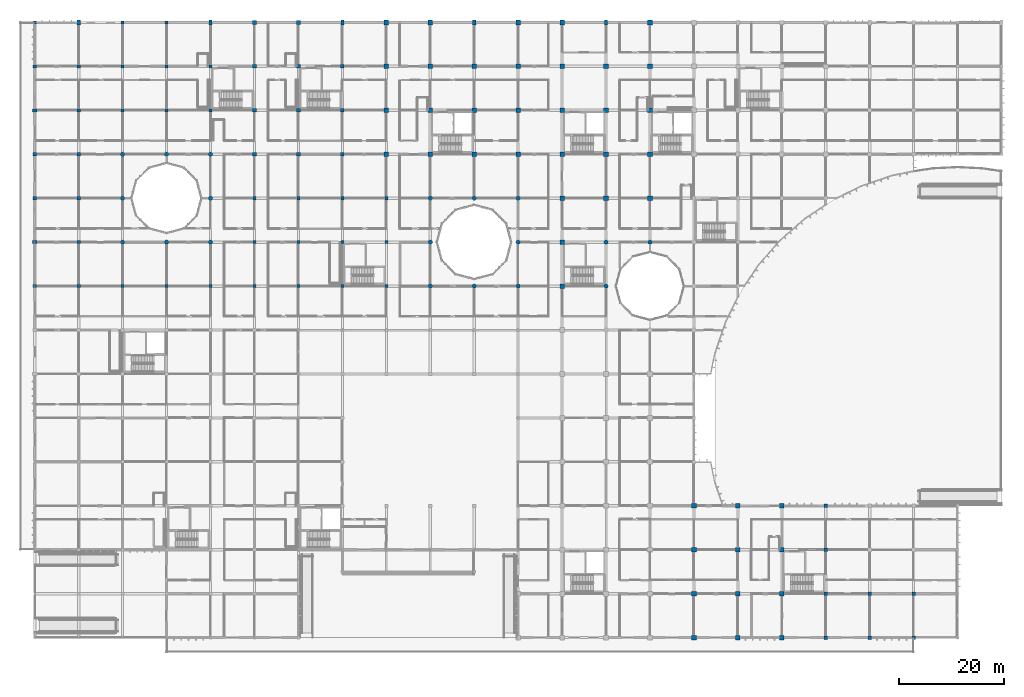
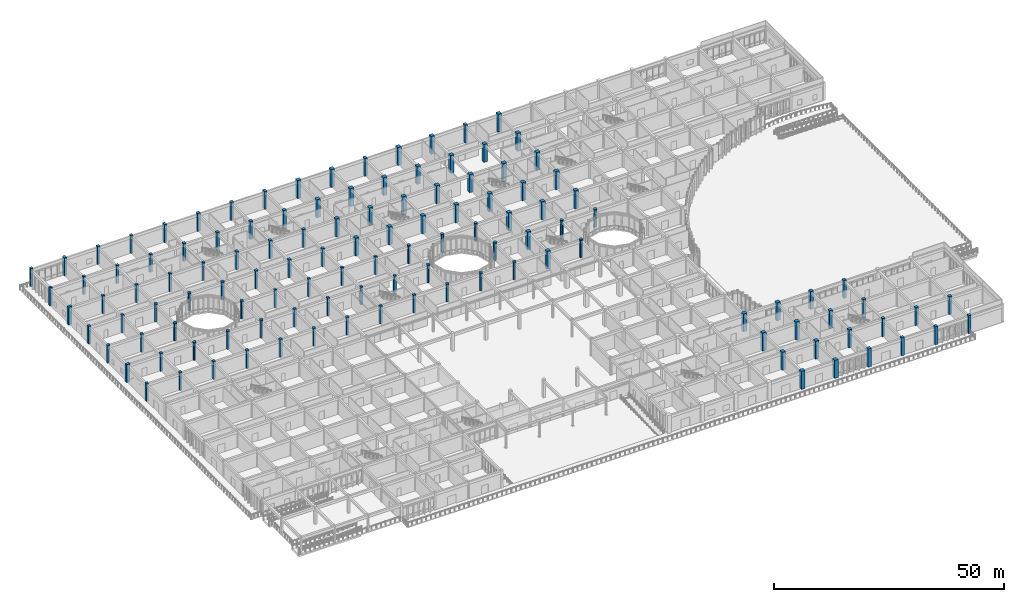
# One storey, part 8 of 138: 122 columns.
"""IFC4 building model written with IfcOpenShell, lengths in metres."""

from ifc_helpers import new_model, si_unit, direction, frame, origin, origin_2d, place, context, subcontext, project, spatial, rectangle, circle, extrude, material, material_profile, profile_set, type_object, element, save


model = new_model("IFC4")

# Units and contexts
model_context = context("Model", 3, precision=1e-05, world=origin(), true_north=direction((0.0, 1.0)))
body_context = subcontext(model_context, "Body", "Model", "MODEL_VIEW")
ifc_project = project(units=[si_unit("LENGTHUNIT", "METRE"), si_unit("AREAUNIT", "SQUARE_METRE"), si_unit("VOLUMEUNIT", "CUBIC_METRE"), si_unit("PLANEANGLEUNIT", "RADIAN"), si_unit("MASSUNIT", "GRAM", prefix="KILO")], contexts=[model_context])

# Site, building, storey
site_placement = place(None, origin())
site = spatial("IfcSite", under=ifc_project, at=site_placement, CompositionType="ELEMENT")
building_placement = place(site_placement, origin())
building = spatial("IfcBuilding", under=site, at=building_placement, Name="Bramfleet General Hospital", CompositionType="ELEMENT")
storey_placement = place(building_placement, origin())
storey = spatial("IfcBuildingStorey", under=building, at=storey_placement, Name="L00", CompositionType="ELEMENT", Elevation=0.0)

# Columns
ifc_material = material(Name="Concrete C40/50", Category="concrete")
ifc_material_profile_1 = material_profile(ifc_material, rectangle(XDim=0.60009765625, YDim=0.89990234375, at=origin_2d()), Name="RC PIL 900x600")
ifc_profile_set_1 = profile_set([ifc_material_profile_1], Name="Concrete C40/50")
column_type_1 = type_object("IfcColumnType", Name="COL-PIL900", PredefinedType="PILASTER", material=ifc_profile_set_1)
for number, where, z_axis, x_axis, name in (
    (1, (0.0, 75.60009765625, 0.0), (0.0, 0.0, 1.0), (0.0, 1.0, 0.0), "Column COL-L00-00-09"),
    (2, (0.0, 100.800048828125, 0.0), (0.0, 0.0, 1.0), (0.0, 1.0, 0.0), "Column COL-L00-00-12"),
    (3, (8.39990234375, 117.60009765625, 0.0), (0.0, 0.0, 1.0), (1.0, 0.0, 0.0), "Column COL-L00-01-14"),
    (4, (33.60009765625, 117.60009765625, 0.0), (0.0, 0.0, 1.0), (1.0, 0.0, 0.0), "Column COL-L00-04-14"),
    (5, (58.800048828125, 117.60009765625, 0.0), (0.0, 0.0, 1.0), (1.0, 0.0, 0.0), "Column COL-L00-07-14"),
    (6, (84.0, 117.60009765625, 0.0), (0.0, 0.0, 1.0), (1.0, 0.0, 0.0), "Column COL-L00-10-14"),
    (7, (109.199951171875, 117.60009765625, 0.0), (0.0, 0.0, 1.0), (1.0, 0.0, 0.0), "Column COL-L00-13-14"),
):
    element("IfcColumn", number, at=place(storey_placement, frame(where, z_axis=z_axis, x_axis=x_axis)), inside=storey, type_object=column_type_1, Name=name, PredefinedType="PILASTER", context=body_context, shape_type="SweptSolid", body=[
        extrude(rectangle(XDim=0.60009765625, YDim=0.89990234375, at=origin_2d()), origin(), (0.0, 0.0, 1.0), 4.800048828125),
    ])
ifc_material_profile_2 = material_profile(ifc_material, rectangle(XDim=0.60009765625, YDim=0.60009765625, at=origin_2d()), Name="RC COL 600x600")
ifc_profile_set_2 = profile_set([ifc_material_profile_2], Name="Concrete C40/50")
column_type_2 = type_object("IfcColumnType", Name="COL-RC600", PredefinedType="COLUMN", material=ifc_profile_set_2)
for number, where, z_axis, x_axis, name in (
    (8, (0.0, 67.199951171875, 0.0), (0.0, 0.0, 1.0), (1.0, 0.0, 0.0), "Column COL-L00-00-08"),
    (9, (0.0, 84.0, 0.0), (0.0, 0.0, 1.0), (1.0, 0.0, 0.0), "Column COL-L00-00-10"),
    (10, (0.0, 92.39990234375, 0.0), (0.0, 0.0, 1.0), (1.0, 0.0, 0.0), "Column COL-L00-00-11"),
    (11, (0.0, 109.199951171875, 0.0), (0.0, 0.0, 1.0), (1.0, 0.0, 0.0), "Column COL-L00-00-13"),
    (12, (0.0, 117.60009765625, 0.0), (0.0, 0.0, 1.0), (1.0, 0.0, 0.0), "Column COL-L00-00-14"),
    (13, (8.39990234375, 67.199951171875, 0.0), (0.0, 0.0, 1.0), (1.0, 0.0, 0.0), "Column COL-L00-01-08"),
    (14, (8.39990234375, 75.60009765625, 0.0), (0.0, 0.0, 1.0), (1.0, 0.0, 0.0), "Column COL-L00-01-09"),
    (15, (8.39990234375, 84.0, 0.0), (0.0, 0.0, 1.0), (1.0, 0.0, 0.0), "Column COL-L00-01-10"),
    (16, (8.39990234375, 92.39990234375, 0.0), (0.0, 0.0, 1.0), (1.0, 0.0, 0.0), "Column COL-L00-01-11"),
    (17, (8.39990234375, 100.800048828125, 0.0), (0.0, 0.0, 1.0), (1.0, 0.0, 0.0), "Column COL-L00-01-12"),
    (18, (8.39990234375, 109.199951171875, 0.0), (0.0, 0.0, 1.0), (1.0, 0.0, 0.0), "Column COL-L00-01-13"),
    (19, (16.800048828125, 67.199951171875, 0.0), (0.0, 0.0, 1.0), (1.0, 0.0, 0.0), "Column COL-L00-02-08"),
    (20, (16.800048828125, 100.800048828125, 0.0), (0.0, 0.0, 1.0), (1.0, 0.0, 0.0), "Column COL-L00-02-12"),
    (21, (16.800048828125, 109.199951171875, 0.0), (0.0, 0.0, 1.0), (1.0, 0.0, 0.0), "Column COL-L00-02-13"),
    (22, (16.800048828125, 117.60009765625, 0.0), (0.0, 0.0, 1.0), (1.0, 0.0, 0.0), "Column COL-L00-02-14"),
    (23, (25.199951171875, 67.199951171875, 0.0), (0.0, 0.0, 1.0), (1.0, 0.0, 0.0), "Column COL-L00-03-08"),
    (24, (25.199951171875, 100.800048828125, 0.0), (0.0, 0.0, 1.0), (1.0, 0.0, 0.0), "Column COL-L00-03-12"),
    (25, (25.199951171875, 109.199951171875, 0.0), (0.0, 0.0, 1.0), (1.0, 0.0, 0.0), "Column COL-L00-03-13"),
    (26, (25.199951171875, 117.60009765625, 0.0), (0.0, 0.0, 1.0), (1.0, 0.0, 0.0), "Column COL-L00-03-14"),
    (27, (33.60009765625, 67.199951171875, 0.0), (0.0, 0.0, 1.0), (1.0, 0.0, 0.0), "Column COL-L00-04-08"),
    (28, (33.60009765625, 100.800048828125, 0.0), (0.0, 0.0, 1.0), (1.0, 0.0, 0.0), "Column COL-L00-04-12"),
    (29, (33.60009765625, 109.199951171875, 0.0), (0.0, 0.0, 1.0), (1.0, 0.0, 0.0), "Column COL-L00-04-13"),
    (30, (42.0, 67.199951171875, 0.0), (0.0, 0.0, 1.0), (1.0, 0.0, 0.0), "Column COL-L00-05-08"),
    (31, (42.0, 75.60009765625, 0.0), (0.0, 0.0, 1.0), (1.0, 0.0, 0.0), "Column COL-L00-05-09"),
    (32, (42.0, 84.0, 0.0), (0.0, 0.0, 1.0), (1.0, 0.0, 0.0), "Column COL-L00-05-10"),
    (33, (50.39990234375, 67.199951171875, 0.0), (0.0, 0.0, 1.0), (1.0, 0.0, 0.0), "Column COL-L00-06-08"),
    (34, (50.39990234375, 75.60009765625, 0.0), (0.0, 0.0, 1.0), (1.0, 0.0, 0.0), "Column COL-L00-06-09"),
    (35, (50.39990234375, 84.0, 0.0), (0.0, 0.0, 1.0), (1.0, 0.0, 0.0), "Column COL-L00-06-10"),
    (36, (58.800048828125, 67.199951171875, 0.0), (0.0, 0.0, 1.0), (1.0, 0.0, 0.0), "Column COL-L00-07-08"),
    (37, (58.800048828125, 75.60009765625, 0.0), (0.0, 0.0, 1.0), (1.0, 0.0, 0.0), "Column COL-L00-07-09"),
    (38, (58.800048828125, 84.0, 0.0), (0.0, 0.0, 1.0), (1.0, 0.0, 0.0), "Column COL-L00-07-10"),
    (39, (67.199951171875, 67.199951171875, 0.0), (0.0, 0.0, 1.0), (1.0, 0.0, 0.0), "Column COL-L00-08-08"),
    (40, (67.199951171875, 75.60009765625, 0.0), (0.0, 0.0, 1.0), (1.0, 0.0, 0.0), "Column COL-L00-08-09"),
    (41, (67.199951171875, 84.0, 0.0), (0.0, 0.0, 1.0), (1.0, 0.0, 0.0), "Column COL-L00-08-10"),
):
    element("IfcColumn", number, at=place(storey_placement, frame(where, z_axis=z_axis, x_axis=x_axis)), inside=storey, type_object=column_type_2, Name=name, PredefinedType="COLUMN", context=body_context, shape_type="SweptSolid", body=[
        extrude(rectangle(XDim=0.60009765625, YDim=0.60009765625, at=origin_2d()), origin(), (0.0, 0.0, 1.0), 4.800048828125),
    ])
ifc_material_profile_3 = material_profile(ifc_material, rectangle(XDim=0.699951171875, YDim=0.699951171875, at=origin_2d()), Name="RC COL 700x700")
ifc_profile_set_3 = profile_set([ifc_material_profile_3], Name="Concrete C40/50")
column_type_3 = type_object("IfcColumnType", Name="COL-RC700", PredefinedType="COLUMN", material=ifc_profile_set_3)
for number, where, z_axis, x_axis, name in (
    (42, (42.0, 92.39990234375, 0.0), (0.0, 0.0, 1.0), (1.0, 0.0, 0.0), "Column COL-L00-05-11"),
    (43, (42.0, 100.800048828125, 0.0), (0.0, 0.0, 1.0), (1.0, 0.0, 0.0), "Column COL-L00-05-12"),
    (44, (42.0, 109.199951171875, 0.0), (0.0, 0.0, 1.0), (1.0, 0.0, 0.0), "Column COL-L00-05-13"),
    (45, (42.0, 117.60009765625, 0.0), (0.0, 0.0, 1.0), (1.0, 0.0, 0.0), "Column COL-L00-05-14"),
    (46, (50.39990234375, 92.39990234375, 0.0), (0.0, 0.0, 1.0), (1.0, 0.0, 0.0), "Column COL-L00-06-11"),
    (47, (50.39990234375, 100.800048828125, 0.0), (0.0, 0.0, 1.0), (1.0, 0.0, 0.0), "Column COL-L00-06-12"),
    (48, (50.39990234375, 109.199951171875, 0.0), (0.0, 0.0, 1.0), (1.0, 0.0, 0.0), "Column COL-L00-06-13"),
    (49, (50.39990234375, 117.60009765625, 0.0), (0.0, 0.0, 1.0), (1.0, 0.0, 0.0), "Column COL-L00-06-14"),
    (50, (58.800048828125, 92.39990234375, 0.0), (0.0, 0.0, 1.0), (1.0, 0.0, 0.0), "Column COL-L00-07-11"),
    (51, (58.800048828125, 100.800048828125, 0.0), (0.0, 0.0, 1.0), (1.0, 0.0, 0.0), "Column COL-L00-07-12"),
    (52, (58.800048828125, 109.199951171875, 0.0), (0.0, 0.0, 1.0), (1.0, 0.0, 0.0), "Column COL-L00-07-13"),
    (53, (151.199951171875, 0.0, 0.0), (0.0, 0.0, 1.0), (1.0, 0.0, 0.0), "Column COL-L00-18-00"),
    (54, (151.199951171875, 8.39990234375, 0.0), (0.0, 0.0, 1.0), (1.0, 0.0, 0.0), "Column COL-L00-18-01"),
    (55, (151.199951171875, 16.800048828125, 0.0), (0.0, 0.0, 1.0), (1.0, 0.0, 0.0), "Column COL-L00-18-02"),
    (56, (151.199951171875, 25.199951171875, 0.0), (0.0, 0.0, 1.0), (1.0, 0.0, 0.0), "Column COL-L00-18-03"),
    (57, (159.60009765625, 0.0, 0.0), (0.0, 0.0, 1.0), (1.0, 0.0, 0.0), "Column COL-L00-19-00"),
    (58, (159.60009765625, 8.39990234375, 0.0), (0.0, 0.0, 1.0), (1.0, 0.0, 0.0), "Column COL-L00-19-01"),
    (59, (168.0, 0.0, 0.0), (0.0, 0.0, 1.0), (1.0, 0.0, 0.0), "Column COL-L00-20-00"),
    (60, (168.0, 8.39990234375, 0.0), (0.0, 0.0, 1.0), (1.0, 0.0, 0.0), "Column COL-L00-20-01"),
):
    element("IfcColumn", number, at=place(storey_placement, frame(where, z_axis=z_axis, x_axis=x_axis)), inside=storey, type_object=column_type_3, Name=name, PredefinedType="COLUMN", context=body_context, shape_type="SweptSolid", body=[
        extrude(rectangle(XDim=0.699951171875, YDim=0.699951171875, at=origin_2d()), origin(), (0.0, 0.0, 1.0), 4.800048828125),
    ])
ifc_material_profile_4 = material_profile(ifc_material, rectangle(XDim=0.800048828125, YDim=0.800048828125, at=origin_2d()), Name="RC COL 800x800")
ifc_profile_set_4 = profile_set([ifc_material_profile_4], Name="Concrete C40/50")
column_type_4 = type_object("IfcColumnType", Name="COL-RC800", PredefinedType="COLUMN", material=ifc_profile_set_4)
for number, where, z_axis, x_axis, name in (
    (61, (142.800048828125, 0.0, 0.0), (0.0, 0.0, 1.0), (1.0, 0.0, 0.0), "Column COL-L00-17-00"),
    (62, (142.800048828125, 8.39990234375, 0.0), (0.0, 0.0, 1.0), (1.0, 0.0, 0.0), "Column COL-L00-17-01"),
    (63, (142.800048828125, 16.800048828125, 0.0), (0.0, 0.0, 1.0), (1.0, 0.0, 0.0), "Column COL-L00-17-02"),
    (64, (142.800048828125, 25.199951171875, 0.0), (0.0, 0.0, 1.0), (1.0, 0.0, 0.0), "Column COL-L00-17-03"),
):
    element("IfcColumn", number, at=place(storey_placement, frame(where, z_axis=z_axis, x_axis=x_axis)), inside=storey, type_object=column_type_4, Name=name, PredefinedType="COLUMN", context=body_context, shape_type="SweptSolid", body=[
        extrude(rectangle(XDim=0.800048828125, YDim=0.800048828125, at=origin_2d()), origin(), (0.0, 0.0, 1.0), 4.800048828125),
    ])
ifc_material_profile_5 = material_profile(ifc_material, rectangle(XDim=0.89990234375, YDim=0.89990234375, at=origin_2d()), Name="RC COL 900x900")
ifc_profile_set_5 = profile_set([ifc_material_profile_5], Name="Concrete C40/50")
column_type_5 = type_object("IfcColumnType", Name="COL-RC900", PredefinedType="COLUMN", material=ifc_profile_set_5)
for number, where, z_axis, x_axis, name in (
    (65, (67.199951171875, 92.39990234375, 0.0), (0.0, 0.0, 1.0), (1.0, 0.0, 0.0), "Column COL-L00-08-11"),
    (66, (67.199951171875, 100.800048828125, 0.0), (0.0, 0.0, 1.0), (1.0, 0.0, 0.0), "Column COL-L00-08-12"),
    (67, (67.199951171875, 109.199951171875, 0.0), (0.0, 0.0, 1.0), (1.0, 0.0, 0.0), "Column COL-L00-08-13"),
    (68, (67.199951171875, 117.60009765625, 0.0), (0.0, 0.0, 1.0), (1.0, 0.0, 0.0), "Column COL-L00-08-14"),
    (69, (75.60009765625, 92.39990234375, 0.0), (0.0, 0.0, 1.0), (1.0, 0.0, 0.0), "Column COL-L00-09-11"),
    (70, (75.60009765625, 100.800048828125, 0.0), (0.0, 0.0, 1.0), (1.0, 0.0, 0.0), "Column COL-L00-09-12"),
    (71, (75.60009765625, 109.199951171875, 0.0), (0.0, 0.0, 1.0), (1.0, 0.0, 0.0), "Column COL-L00-09-13"),
    (72, (75.60009765625, 117.60009765625, 0.0), (0.0, 0.0, 1.0), (1.0, 0.0, 0.0), "Column COL-L00-09-14"),
    (73, (84.0, 92.39990234375, 0.0), (0.0, 0.0, 1.0), (1.0, 0.0, 0.0), "Column COL-L00-10-11"),
    (74, (84.0, 100.800048828125, 0.0), (0.0, 0.0, 1.0), (1.0, 0.0, 0.0), "Column COL-L00-10-12"),
    (75, (84.0, 109.199951171875, 0.0), (0.0, 0.0, 1.0), (1.0, 0.0, 0.0), "Column COL-L00-10-13"),
    (76, (92.39990234375, 92.39990234375, 0.0), (0.0, 0.0, 1.0), (1.0, 0.0, 0.0), "Column COL-L00-11-11"),
    (77, (92.39990234375, 100.800048828125, 0.0), (0.0, 0.0, 1.0), (1.0, 0.0, 0.0), "Column COL-L00-11-12"),
    (78, (92.39990234375, 109.199951171875, 0.0), (0.0, 0.0, 1.0), (1.0, 0.0, 0.0), "Column COL-L00-11-13"),
    (79, (92.39990234375, 117.60009765625, 0.0), (0.0, 0.0, 1.0), (1.0, 0.0, 0.0), "Column COL-L00-11-14"),
    (80, (100.800048828125, 67.199951171875, 0.0), (0.0, 0.0, 1.0), (1.0, 0.0, 0.0), "Column COL-L00-12-08"),
    (81, (100.800048828125, 75.60009765625, 0.0), (0.0, 0.0, 1.0), (1.0, 0.0, 0.0), "Column COL-L00-12-09"),
    (82, (100.800048828125, 84.0, 0.0), (0.0, 0.0, 1.0), (1.0, 0.0, 0.0), "Column COL-L00-12-10"),
    (83, (100.800048828125, 92.39990234375, 0.0), (0.0, 0.0, 1.0), (1.0, 0.0, 0.0), "Column COL-L00-12-11"),
    (84, (100.800048828125, 100.800048828125, 0.0), (0.0, 0.0, 1.0), (1.0, 0.0, 0.0), "Column COL-L00-12-12"),
    (85, (100.800048828125, 109.199951171875, 0.0), (0.0, 0.0, 1.0), (1.0, 0.0, 0.0), "Column COL-L00-12-13"),
    (86, (100.800048828125, 117.60009765625, 0.0), (0.0, 0.0, 1.0), (1.0, 0.0, 0.0), "Column COL-L00-12-14"),
    (87, (109.199951171875, 84.0, 0.0), (0.0, 0.0, 1.0), (1.0, 0.0, 0.0), "Column COL-L00-13-10"),
    (88, (109.199951171875, 92.39990234375, 0.0), (0.0, 0.0, 1.0), (1.0, 0.0, 0.0), "Column COL-L00-13-11"),
    (89, (109.199951171875, 100.800048828125, 0.0), (0.0, 0.0, 1.0), (1.0, 0.0, 0.0), "Column COL-L00-13-12"),
    (90, (109.199951171875, 109.199951171875, 0.0), (0.0, 0.0, 1.0), (1.0, 0.0, 0.0), "Column COL-L00-13-13"),
    (91, (117.60009765625, 84.0, 0.0), (0.0, 0.0, 1.0), (1.0, 0.0, 0.0), "Column COL-L00-14-10"),
    (92, (117.60009765625, 92.39990234375, 0.0), (0.0, 0.0, 1.0), (1.0, 0.0, 0.0), "Column COL-L00-14-11"),
    (93, (117.60009765625, 100.800048828125, 0.0), (0.0, 0.0, 1.0), (1.0, 0.0, 0.0), "Column COL-L00-14-12"),
    (94, (117.60009765625, 109.199951171875, 0.0), (0.0, 0.0, 1.0), (1.0, 0.0, 0.0), "Column COL-L00-14-13"),
    (95, (117.60009765625, 117.60009765625, 0.0), (0.0, 0.0, 1.0), (1.0, 0.0, 0.0), "Column COL-L00-14-14"),
    (96, (126.0, 0.0, 0.0), (0.0, 0.0, 1.0), (1.0, 0.0, 0.0), "Column COL-L00-15-00"),
    (97, (126.0, 8.39990234375, 0.0), (0.0, 0.0, 1.0), (1.0, 0.0, 0.0), "Column COL-L00-15-01"),
    (98, (126.0, 16.800048828125, 0.0), (0.0, 0.0, 1.0), (1.0, 0.0, 0.0), "Column COL-L00-15-02"),
    (99, (126.0, 25.199951171875, 0.0), (0.0, 0.0, 1.0), (1.0, 0.0, 0.0), "Column COL-L00-15-03"),
    (100, (134.39990234375, 0.0, 0.0), (0.0, 0.0, 1.0), (1.0, 0.0, 0.0), "Column COL-L00-16-00"),
    (101, (134.39990234375, 8.39990234375, 0.0), (0.0, 0.0, 1.0), (1.0, 0.0, 0.0), "Column COL-L00-16-01"),
    (102, (134.39990234375, 16.800048828125, 0.0), (0.0, 0.0, 1.0), (1.0, 0.0, 0.0), "Column COL-L00-16-02"),
    (103, (134.39990234375, 25.199951171875, 0.0), (0.0, 0.0, 1.0), (1.0, 0.0, 0.0), "Column COL-L00-16-03"),
):
    element("IfcColumn", number, at=place(storey_placement, frame(where, z_axis=z_axis, x_axis=x_axis)), inside=storey, type_object=column_type_5, Name=name, PredefinedType="COLUMN", context=body_context, shape_type="SweptSolid", body=[
        extrude(rectangle(XDim=0.89990234375, YDim=0.89990234375, at=origin_2d()), origin(), (0.0, 0.0, 1.0), 4.800048828125),
    ])
ifc_material_profile_6 = material_profile(ifc_material, circle(Radius=0.39990234375, at=origin_2d()), Name="RC ROUND D800")
ifc_profile_set_6 = profile_set([ifc_material_profile_6], Name="Concrete C40/50")
column_type_6 = type_object("IfcColumnType", Name="COL-RCD800", PredefinedType="COLUMN", material=ifc_profile_set_6)
for number, where, z_axis, x_axis, name in (
    (104, (16.800048828125, 75.60009765625, 0.0), (0.0, 0.0, 1.0), (1.0, 0.0, 0.0), "Column COL-L00-02-09"),
    (105, (16.800048828125, 84.0, 0.0), (0.0, 0.0, 1.0), (1.0, 0.0, 0.0), "Column COL-L00-02-10"),
    (106, (16.800048828125, 92.39990234375, 0.0), (0.0, 0.0, 1.0), (1.0, 0.0, 0.0), "Column COL-L00-02-11"),
    (107, (25.199951171875, 75.60009765625, 0.0), (0.0, 0.0, 1.0), (1.0, 0.0, 0.0), "Column COL-L00-03-09"),
    (108, (25.199951171875, 92.39990234375, 0.0), (0.0, 0.0, 1.0), (1.0, 0.0, 0.0), "Column COL-L00-03-11"),
    (109, (33.60009765625, 75.60009765625, 0.0), (0.0, 0.0, 1.0), (1.0, 0.0, 0.0), "Column COL-L00-04-09"),
    (110, (33.60009765625, 84.0, 0.0), (0.0, 0.0, 1.0), (1.0, 0.0, 0.0), "Column COL-L00-04-10"),
    (111, (33.60009765625, 92.39990234375, 0.0), (0.0, 0.0, 1.0), (1.0, 0.0, 0.0), "Column COL-L00-04-11"),
    (112, (75.60009765625, 67.199951171875, 0.0), (0.0, 0.0, 1.0), (1.0, 0.0, 0.0), "Column COL-L00-09-08"),
    (113, (75.60009765625, 75.60009765625, 0.0), (0.0, 0.0, 1.0), (1.0, 0.0, 0.0), "Column COL-L00-09-09"),
    (114, (75.60009765625, 84.0, 0.0), (0.0, 0.0, 1.0), (1.0, 0.0, 0.0), "Column COL-L00-09-10"),
    (115, (84.0, 67.199951171875, 0.0), (0.0, 0.0, 1.0), (1.0, 0.0, 0.0), "Column COL-L00-10-08"),
    (116, (84.0, 84.0, 0.0), (0.0, 0.0, 1.0), (1.0, 0.0, 0.0), "Column COL-L00-10-10"),
    (117, (92.39990234375, 67.199951171875, 0.0), (0.0, 0.0, 1.0), (1.0, 0.0, 0.0), "Column COL-L00-11-08"),
    (118, (92.39990234375, 75.60009765625, 0.0), (0.0, 0.0, 1.0), (1.0, 0.0, 0.0), "Column COL-L00-11-09"),
    (119, (92.39990234375, 84.0, 0.0), (0.0, 0.0, 1.0), (1.0, 0.0, 0.0), "Column COL-L00-11-10"),
    (120, (109.199951171875, 67.199951171875, 0.0), (0.0, 0.0, 1.0), (1.0, 0.0, 0.0), "Column COL-L00-13-08"),
    (121, (109.199951171875, 75.60009765625, 0.0), (0.0, 0.0, 1.0), (1.0, 0.0, 0.0), "Column COL-L00-13-09"),
    (122, (117.60009765625, 75.60009765625, 0.0), (0.0, 0.0, 1.0), (1.0, 0.0, 0.0), "Column COL-L00-14-09"),
):
    element("IfcColumn", number, at=place(storey_placement, frame(where, z_axis=z_axis, x_axis=x_axis)), inside=storey, type_object=column_type_6, Name=name, PredefinedType="COLUMN", context=body_context, shape_type="SweptSolid", body=[
        extrude(circle(Radius=0.39990234375, at=origin_2d()), origin(), (0.0, 0.0, 1.0), 4.800048828125),
    ])

save(model, "model.ifc")
